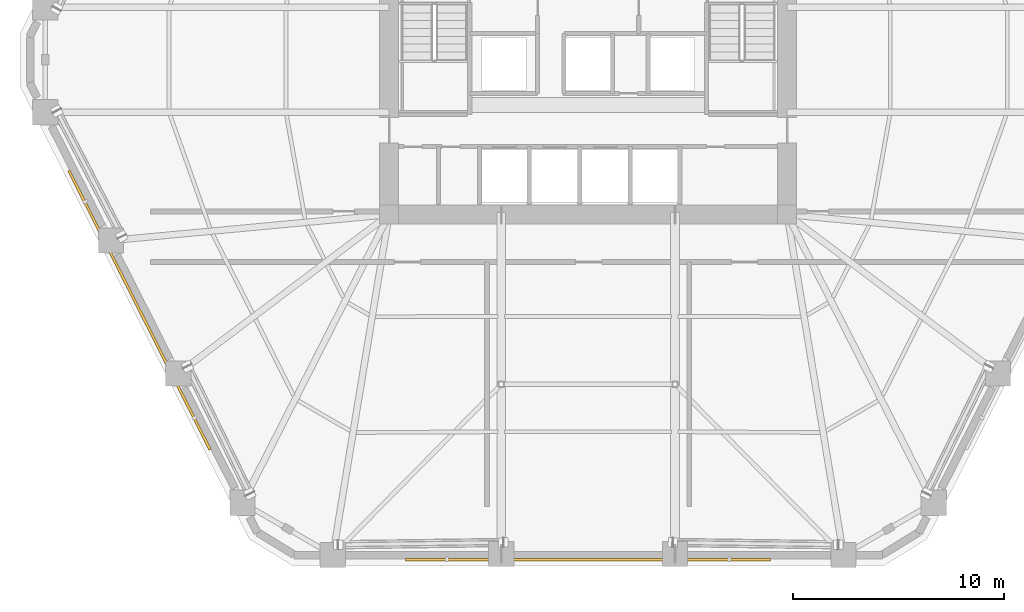
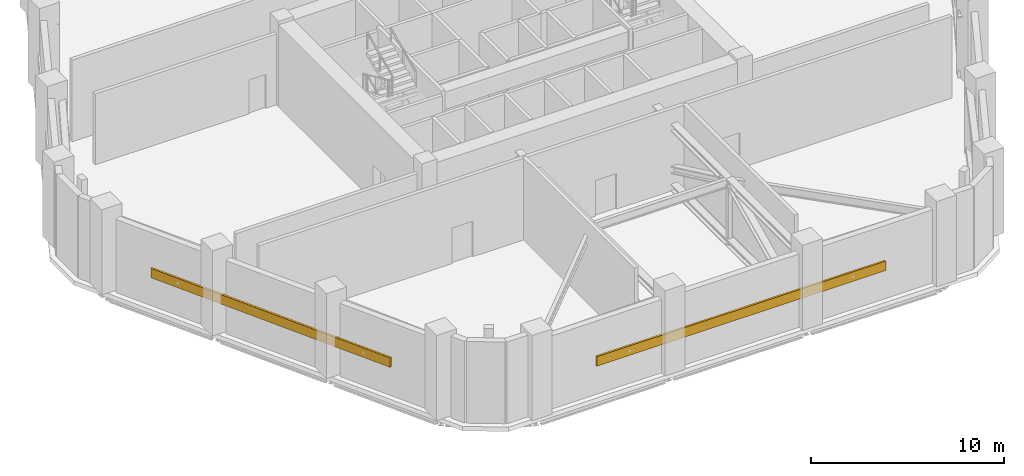
# One storey, part 16 of 19: 2 shading devices.
"""IFC4 building model written with IfcOpenShell, lengths in metres."""

from ifc_helpers import new_model, si_unit, direction, frame, origin, origin_2d, place, context, subcontext, project, spatial, rectangle, extrude, material, layer, layer_set, type_object, element, save


model = new_model("IFC4")

# Units and contexts
model_context = context("Model", 3, precision=1e-05, world=origin(), true_north=direction((0.0, 1.0)))
body_context = subcontext(model_context, "Body", "Model", "MODEL_VIEW")
ifc_project = project(units=[si_unit("LENGTHUNIT", "METRE"), si_unit("AREAUNIT", "SQUARE_METRE"), si_unit("VOLUMEUNIT", "CUBIC_METRE"), si_unit("PLANEANGLEUNIT", "RADIAN"), si_unit("MASSUNIT", "GRAM", prefix="KILO")], contexts=[model_context])

# Site, building, storey
site_placement = place(None, origin())
site = spatial("IfcSite", under=ifc_project, at=site_placement, CompositionType="ELEMENT")
building_placement = place(site_placement, origin())
building = spatial("IfcBuilding", under=site, at=building_placement, Name="Cinnabar Lancet Tower", CompositionType="ELEMENT")
storey_placement = place(building_placement, frame((0.0, 0.0, 74.60009765625)))
storey = spatial("IfcBuildingStorey", under=building, at=storey_placement, Name="L19", CompositionType="ELEMENT", Elevation=74.60009765625)

# Shading devices
ifc_material = material(Name="Anodized acoustic plant weather louvre", Category="aluminium")
ifc_layer = layer(ifc_material, 0.094970703125)
ifc_layer_set = layer_set([ifc_layer], Name="Anodized acoustic plant weather louvre")
shading_device_type = type_object("IfcShadingDeviceType", Name="ENV-SHD-LVR-600", PredefinedType="JALOUSIE", material=ifc_layer_set)
shading_device_1_placement = place(storey_placement, frame((32.39990234375, 2.06005859375, 1.849853515625), z_axis=(0.0, 0.0, 1.0), x_axis=(1.0, 0.0, 0.0)))
element("IfcShadingDevice", 1, at=shading_device_1_placement, inside=storey, type_object=shading_device_type, Name="L19 Face 1 Acoustic Plant Weather Louvre", PredefinedType="JALOUSIE", context=body_context, shape_type="SweptSolid", body=[
    extrude(rectangle(XDim=17.322021484375, YDim=0.1201171875, at=origin_2d()), origin(), (0.0, 0.0, 1.0), 0.60009765625),
])
shading_device_2_placement = place(storey_placement, frame((11.10302734375, 13.9189453125, 1.849853515625), z_axis=(0.0, 0.0, 1.0), x_axis=(0.451469426816, -0.892286588855, 0.0)))
element("IfcShadingDevice", 2, at=shading_device_2_placement, inside=storey, type_object=shading_device_type, Name="L19 Face 6 Acoustic Plant Weather Louvre", PredefinedType="JALOUSIE", context=body_context, shape_type="SweptSolid", body=[
    extrude(rectangle(XDim=14.846923828125, YDim=0.1201171875, at=origin_2d()), origin(), (0.0, 0.0, 1.0), 0.60009765625),
])

save(model, "model.ifc")
